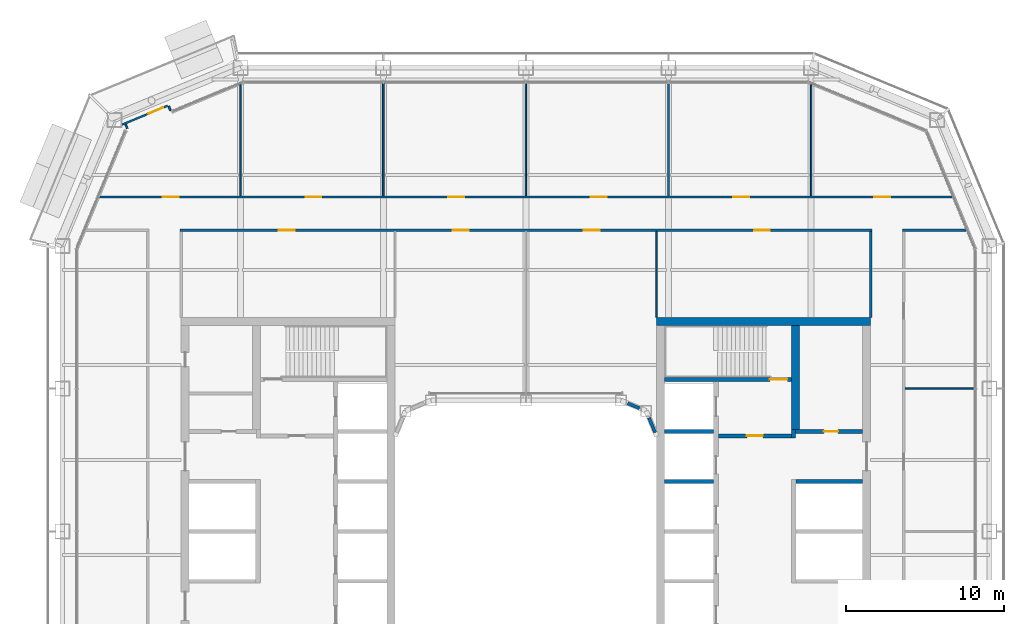
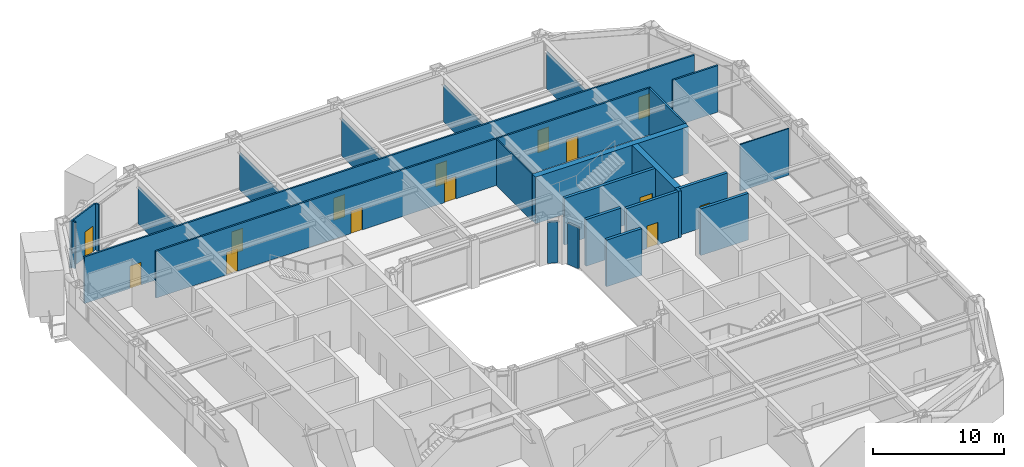
# One storey, part 14 of 23: 25 walls, 14 doors, 14 openings.
"""IFC4 building model written with IfcOpenShell, lengths in metres."""

from ifc_helpers import new_model, si_unit, direction, frame, frame_2d, origin, place, context, subcontext, project, spatial, rectangle, extrude, material, layer, layer_set, type_object, element, fill, save


model = new_model("IFC4")

# Units and contexts
model_context = context("Model", 3, precision=1e-05, world=origin(), true_north=direction((0.0, 1.0)))
body_context = subcontext(model_context, "Body", "Model", "MODEL_VIEW")
ifc_project = project(units=[si_unit("LENGTHUNIT", "METRE"), si_unit("AREAUNIT", "SQUARE_METRE"), si_unit("VOLUMEUNIT", "CUBIC_METRE"), si_unit("PLANEANGLEUNIT", "RADIAN"), si_unit("MASSUNIT", "GRAM", prefix="KILO")], contexts=[model_context])

# Site, building, storey
site_placement = place(None, origin())
site = spatial("IfcSite", under=ifc_project, at=site_placement, CompositionType="ELEMENT")
building_placement = place(site_placement, origin())
building = spatial("IfcBuilding", under=site, at=building_placement, Name="Siwar Civic Tower", CompositionType="ELEMENT")
storey_placement = place(building_placement, frame((0.0, 0.0, 136.199951171875)))
storey = spatial("IfcBuildingStorey", under=building, at=storey_placement, Name="L29", CompositionType="ELEMENT", Elevation=136.199951171875)

# Wall, opening, door
ifc_material_1 = material(Name="Concrete C60/75", Category="concrete")
ifc_layer_1 = layer(ifc_material_1, 0.25)
ifc_layer_set_1 = layer_set([ifc_layer_1], Name="Concrete C60/75")
wall_type_1 = type_object("IfcWallType", Name="CORE-WALL-RC250", PredefinedType="SHEAR", material=ifc_layer_set_1)
wall_1_placement = place(storey_placement, frame((12.14990234375, 6.02490234375, 0.0), z_axis=(0.0, 0.0, 1.0), x_axis=(1.0, 0.0, 0.0)))
wall_1 = element("IfcWall", 1, at=wall_1_placement, inside=storey, type_object=wall_type_1, Name="Core wall E", PredefinedType="SHEAR", context=body_context, shape_type="SweptSolid", body=[
    extrude(rectangle(XDim=4.60009765625, YDim=0.25, at=frame_2d((2.300048828125, 0.0))), origin(), (0.0, 0.0, 1.0), 4.35009765625),
])
opening_1_placement = place(wall_1_placement, frame((1.800048828125, 0.0, 0.0)))
opening_1 = element("IfcOpeningElement", 2, at=opening_1_placement, cuts=wall_1, Name="Opening L29-CE01", PredefinedType="OPENING", context=body_context, shape_type="SweptSolid", body=[
    extrude(rectangle(XDim=1.0, YDim=2.10009765625, at=frame_2d((0.5, 1.050048828125))), frame((0.0, 0.135009765625, 0.0), z_axis=(0.0, -1.0, 0.0), x_axis=(1.0, 0.0, 0.0)), (0.0, 0.0, 1.0), 0.27001953125),
])
ifc_material_2 = material(Name="Steel door leaf", Category="steel")
door_type_1 = type_object("IfcDoorType", Name="CORE-DOOR-FD30S", OperationType="SINGLE_SWING_LEFT", PredefinedType="DOOR", material=ifc_material_2)
door_1_placement = place(opening_1_placement, origin())
door_1 = element("IfcDoor", 3, at=door_1_placement, inside=storey, type_object=door_type_1, Name="Firefighting lobby door L29-CE01", OperationType="SINGLE_SWING_RIGHT", OverallHeight=2.10009765625, OverallWidth=1.0, PredefinedType="DOOR", context=body_context, shape_type="SweptSolid", body=[
    extrude(rectangle(XDim=1.0, YDim=2.10009765625, at=frame_2d((0.5, 1.050048828125))), frame((0.0, 0.02490234375, 0.0), z_axis=(0.0, -1.0, 0.0), x_axis=(1.0, 0.0, 0.0)), (0.0, 0.0, 1.0), 0.050048828125),
])
fill(opening_1, door_1)

# Wall
wall_2_placement = place(storey_placement, frame((16.875, 5.89990234375, 0.0), z_axis=(0.0, 0.0, 1.0), x_axis=(0.0, 1.0, 0.0)))
element("IfcWall", 4, at=wall_2_placement, inside=storey, type_object=wall_type_1, Name="Core wall E", PredefinedType="SHEAR", context=body_context, shape_type="SweptSolid", body=[
    extrude(rectangle(XDim=0.525146484375, YDim=0.25, at=frame_2d((0.2626953125, 0.0))), origin(), (0.0, 0.0, 1.0), 4.35009765625),
])

# Wall, opening, door
wall_3_placement = place(storey_placement, frame((17.0, 6.300048828125, 0.0), z_axis=(0.0, 0.0, 1.0), x_axis=(1.0, 0.0, 0.0)))
wall_3 = element("IfcWall", 5, at=wall_3_placement, inside=storey, type_object=wall_type_1, Name="Core wall E", PredefinedType="SHEAR", context=body_context, shape_type="SweptSolid", body=[
    extrude(rectangle(XDim=4.25, YDim=0.25, at=frame_2d((2.125, 0.0))), origin(), (0.0, 0.0, 1.0), 4.35009765625),
])
opening_2_placement = place(wall_3_placement, frame((1.800048828125, 0.0, 0.0)))
opening_2 = element("IfcOpeningElement", 6, at=opening_2_placement, cuts=wall_3, Name="Opening L29-CE13", PredefinedType="OPENING", context=body_context, shape_type="SweptSolid", body=[
    extrude(rectangle(XDim=0.89990234375, YDim=2.10009765625, at=frame_2d((0.449951171875, 1.050048828125))), frame((0.0, 0.135009765625, 0.0), z_axis=(0.0, -1.0, 0.0), x_axis=(1.0, 0.0, 0.0)), (0.0, 0.0, 1.0), 0.27001953125),
])
ifc_material_3 = material(Name="Steel door leaf", Category="steel")
door_type_2 = type_object("IfcDoorType", Name="CORE-DOOR-ROOM", OperationType="SINGLE_SWING_LEFT", PredefinedType="DOOR", material=ifc_material_3)
door_2_placement = place(opening_2_placement, origin())
door_2 = element("IfcDoor", 7, at=door_2_placement, inside=storey, type_object=door_type_2, Name="Core room door L29-CE13", OperationType="SINGLE_SWING_RIGHT", OverallHeight=2.10009765625, OverallWidth=0.89990234375, PredefinedType="DOOR", context=body_context, shape_type="SweptSolid", body=[
    extrude(rectangle(XDim=0.89990234375, YDim=2.10009765625, at=frame_2d((0.449951171875, 1.050048828125))), frame((0.0, 0.02490234375, 0.0), z_axis=(0.0, -1.0, 0.0), x_axis=(1.0, 0.0, 0.0)), (0.0, 0.0, 1.0), 0.050048828125),
])
fill(opening_2, door_2)

# Walls
wall_4_placement = place(storey_placement, frame((17.050048828125, 3.14990234375, 0.0), z_axis=(0.0, 0.0, 1.0), x_axis=(1.0, 0.0, 0.0)))
element("IfcWall", 8, at=wall_4_placement, inside=storey, type_object=wall_type_1, Name="Core wall E", PredefinedType="SHEAR", context=body_context, shape_type="SweptSolid", body=[
    extrude(rectangle(XDim=4.199951171875, YDim=0.25, at=frame_2d((2.10009765625, 0.0))), origin(), (0.0, 0.0, 1.0), 4.35009765625),
])
for number, where, z_axis, x_axis, name in (
    (9, (8.75, 3.14990234375, 0.0), (0.0, 0.0, 1.0), (1.0, 0.0, 0.0), "Core wall E"),
    (10, (8.75, 6.300048828125, 0.0), (0.0, 0.0, 1.0), (1.0, 0.0, 0.0), "Core wall E"),
):
    element("IfcWall", number, at=place(storey_placement, frame(where, z_axis=z_axis, x_axis=x_axis)), inside=storey, type_object=wall_type_1, Name=name, PredefinedType="SHEAR", context=body_context, shape_type="SweptSolid", body=[
        extrude(rectangle(XDim=3.10009765625, YDim=0.25, at=frame_2d((1.550048828125, 0.0))), origin(), (0.0, 0.0, 1.0), 4.35009765625),
    ])

# Wall, opening, door
wall_5_placement = place(storey_placement, frame((8.75, 9.574951171875, 0.0), z_axis=(0.0, 0.0, 1.0), x_axis=(1.0, 0.0, 0.0)))
wall_5 = element("IfcWall", 11, at=wall_5_placement, inside=storey, type_object=wall_type_1, Name="Core wall E", PredefinedType="SHEAR", context=body_context, shape_type="SweptSolid", body=[
    extrude(rectangle(XDim=8.0, YDim=0.25, at=frame_2d((4.0, 0.0))), origin(), (0.0, 0.0, 1.0), 4.35009765625),
])
opening_3_placement = place(wall_5_placement, frame((6.64990234375, 0.0, 0.0)))
opening_3 = element("IfcOpeningElement", 12, at=opening_3_placement, cuts=wall_5, Name="Opening L29-CE03", PredefinedType="OPENING", context=body_context, shape_type="SweptSolid", body=[
    extrude(rectangle(XDim=1.10009765625, YDim=2.10009765625, at=frame_2d((0.550048828125, 1.050048828125))), frame((0.0, 0.135009765625, 0.0), z_axis=(0.0, -1.0, 0.0), x_axis=(1.0, 0.0, 0.0)), (0.0, 0.0, 1.0), 0.27001953125),
])
ifc_material_4 = material(Name="Steel door leaf", Category="steel")
door_type_3 = type_object("IfcDoorType", Name="CORE-DOOR-FD60S", OperationType="SINGLE_SWING_LEFT", PredefinedType="DOOR", material=ifc_material_4)
door_3_placement = place(opening_3_placement, origin())
door_3 = element("IfcDoor", 13, at=door_3_placement, inside=storey, type_object=door_type_3, Name="Stair door L29-CE03", OperationType="SINGLE_SWING_LEFT", OverallHeight=2.10009765625, OverallWidth=1.10009765625, PredefinedType="DOOR", context=body_context, shape_type="SweptSolid", body=[
    extrude(rectangle(XDim=1.10009765625, YDim=2.10009765625, at=frame_2d((0.550048828125, 1.050048828125))), frame((0.0, 0.02490234375, 0.0), z_axis=(0.0, -1.0, 0.0), x_axis=(1.0, 0.0, 0.0)), (0.0, 0.0, 1.0), 0.050048828125),
])
fill(opening_3, door_3)

# Walls
ifc_material_5 = material(Name="Concrete C60/75", Category="concrete")
ifc_layer_2 = layer(ifc_material_5, 0.5)
ifc_layer_set_2 = layer_set([ifc_layer_2], Name="Concrete C60/75")
wall_type_2 = type_object("IfcWallType", Name="CORE-WALL-RC500", PredefinedType="SHEAR", material=ifc_layer_set_2)
wall_6_placement = place(storey_placement, frame((17.0, 6.425048828125, 0.0), z_axis=(0.0, 0.0, 1.0), x_axis=(0.0, 1.0, 0.0)))
element("IfcWall", 14, at=wall_6_placement, inside=storey, type_object=wall_type_2, Name="Core wall E", PredefinedType="SHEAR", context=body_context, shape_type="SweptSolid", body=[
    extrude(rectangle(XDim=6.574951171875, YDim=0.5, at=frame_2d((3.28759765625, 0.0))), origin(), (0.0, 0.0, 1.0), 4.35009765625),
])
wall_7_placement = place(storey_placement, frame((8.25, 13.25, 0.0), z_axis=(0.0, 0.0, 1.0), x_axis=(1.0, 0.0, 0.0)))
element("IfcWall", 15, at=wall_7_placement, inside=storey, type_object=wall_type_2, Name="Core wall E", PredefinedType="SHEAR", context=body_context, shape_type="SweptSolid", body=[
    extrude(rectangle(XDim=13.5, YDim=0.5, at=frame_2d((6.75, 0.0))), origin(), (0.0, 0.0, 1.0), 4.35009765625),
])

# Wall, openings, doors
ifc_material_6 = material(Name="Gypsum board on steel studs", Category="steel")
ifc_layer_3 = layer(ifc_material_6, 0.14990234375)
ifc_layer_set_3 = layer_set([ifc_layer_3], Name="Gypsum board on steel studs")
wall_type_3 = type_object("IfcWallType", Name="CORRIDOR PARTITION 150 EI 30", PredefinedType="PARTITIONING", material=ifc_layer_set_3)
wall_8_placement = place(storey_placement, frame((-21.824951171875, 19.0, 0.0), z_axis=(0.0, 0.0, 1.0), x_axis=(1.0, 0.0, 0.0)))
wall_8 = element("IfcWall", 16, at=wall_8_placement, inside=storey, type_object=wall_type_3, Name="L29/wall/P11", PredefinedType="PARTITIONING", context=body_context, shape_type="SweptSolid", body=[
    extrude(rectangle(XDim=43.64990234375, YDim=0.14990234375, at=frame_2d((21.824951171875, 0.0))), origin(), (0.0, 0.0, 1.0), 4.35009765625),
])
opening_4_placement = place(wall_8_placement, frame((17.22509765625, 0.0, 0.0)))
opening_4 = element("IfcOpeningElement", 17, at=opening_4_placement, cuts=wall_8, Name="Opening D1", PredefinedType="OPENING", context=body_context, shape_type="SweptSolid", body=[
    extrude(rectangle(XDim=1.0, YDim=2.10009765625, at=frame_2d((0.5, 1.050048828125))), frame((0.0, 0.0849609375, 0.0), z_axis=(0.0, -1.0, 0.0), x_axis=(1.0, 0.0, 0.0)), (0.0, 0.0, 1.0), 0.169921875),
])
opening_5_placement = place(wall_8_placement, frame((25.47509765625, 0.0, 0.0)))
opening_5 = element("IfcOpeningElement", 18, at=opening_5_placement, cuts=wall_8, Name="Opening D1", PredefinedType="OPENING", context=body_context, shape_type="SweptSolid", body=[
    extrude(rectangle(XDim=1.0, YDim=2.10009765625, at=frame_2d((0.5, 1.050048828125))), frame((0.0, 0.0849609375, 0.0), z_axis=(0.0, -1.0, 0.0), x_axis=(1.0, 0.0, 0.0)), (0.0, 0.0, 1.0), 0.169921875),
])
opening_6_placement = place(wall_8_placement, frame((6.22509765625, 0.0, 0.0)))
opening_6 = element("IfcOpeningElement", 19, at=opening_6_placement, cuts=wall_8, Name="Opening D1", PredefinedType="OPENING", context=body_context, shape_type="SweptSolid", body=[
    extrude(rectangle(XDim=1.0, YDim=2.10009765625, at=frame_2d((0.5, 1.050048828125))), frame((0.0, 0.0849609375, 0.0), z_axis=(0.0, -1.0, 0.0), x_axis=(1.0, 0.0, 0.0)), (0.0, 0.0, 1.0), 0.169921875),
])
opening_7_placement = place(wall_8_placement, frame((36.22509765625, 0.0, 0.0)))
opening_7 = element("IfcOpeningElement", 20, at=opening_7_placement, cuts=wall_8, Name="Opening D1", PredefinedType="OPENING", context=body_context, shape_type="SweptSolid", body=[
    extrude(rectangle(XDim=1.0, YDim=2.10009765625, at=frame_2d((0.5, 1.050048828125))), frame((0.0, 0.0849609375, 0.0), z_axis=(0.0, -1.0, 0.0), x_axis=(1.0, 0.0, 0.0)), (0.0, 0.0, 1.0), 0.169921875),
])
ifc_material_7 = material(Name="Timber, painted", Category="wood")
door_type_4 = type_object("IfcDoorType", Name="DOOR 1000 X 2100 FD30", OperationType="SINGLE_SWING_LEFT", PredefinedType="DOOR", material=ifc_material_7)
door_4_placement = place(opening_4_placement, origin())
door_4 = element("IfcDoor", 21, at=door_4_placement, inside=storey, type_object=door_type_4, Name="L29-D13", OperationType="SINGLE_SWING_LEFT", OverallHeight=2.10009765625, OverallWidth=1.0, PredefinedType="DOOR", context=body_context, shape_type="SweptSolid", body=[
    extrude(rectangle(XDim=1.0, YDim=2.10009765625, at=frame_2d((0.5, 1.050048828125))), frame((0.0, 0.02490234375, 0.0), z_axis=(0.0, -1.0, 0.0), x_axis=(1.0, 0.0, 0.0)), (0.0, 0.0, 1.0), 0.050048828125),
])
fill(opening_4, door_4)
door_5_placement = place(opening_5_placement, origin())
door_5 = element("IfcDoor", 22, at=door_5_placement, inside=storey, type_object=door_type_4, Name="L29-D14", OperationType="SINGLE_SWING_RIGHT", OverallHeight=2.10009765625, OverallWidth=1.0, PredefinedType="DOOR", context=body_context, shape_type="SweptSolid", body=[
    extrude(rectangle(XDim=1.0, YDim=2.10009765625, at=frame_2d((0.5, 1.050048828125))), frame((0.0, 0.02490234375, 0.0), z_axis=(0.0, -1.0, 0.0), x_axis=(1.0, 0.0, 0.0)), (0.0, 0.0, 1.0), 0.050048828125),
])
fill(opening_5, door_5)
door_6_placement = place(opening_6_placement, origin())
door_6 = element("IfcDoor", 23, at=door_6_placement, inside=storey, type_object=door_type_4, Name="L29-D20", OperationType="SINGLE_SWING_RIGHT", OverallHeight=2.10009765625, OverallWidth=1.0, PredefinedType="DOOR", context=body_context, shape_type="SweptSolid", body=[
    extrude(rectangle(XDim=1.0, YDim=2.10009765625, at=frame_2d((0.5, 1.050048828125))), frame((0.0, 0.02490234375, 0.0), z_axis=(0.0, -1.0, 0.0), x_axis=(1.0, 0.0, 0.0)), (0.0, 0.0, 1.0), 0.050048828125),
])
fill(opening_6, door_6)
door_7_placement = place(opening_7_placement, origin())
door_7 = element("IfcDoor", 24, at=door_7_placement, inside=storey, type_object=door_type_4, Name="L29-D21", OperationType="SINGLE_SWING_LEFT", OverallHeight=2.10009765625, OverallWidth=1.0, PredefinedType="DOOR", context=body_context, shape_type="SweptSolid", body=[
    extrude(rectangle(XDim=1.0, YDim=2.10009765625, at=frame_2d((0.5, 1.050048828125))), frame((0.0, 0.02490234375, 0.0), z_axis=(0.0, -1.0, 0.0), x_axis=(1.0, 0.0, 0.0)), (0.0, 0.0, 1.0), 0.050048828125),
])
fill(opening_7, door_7)

# Wall
wall_9_placement = place(storey_placement, frame((23.77490234375, 19.0, 0.0), z_axis=(0.0, 0.0, 1.0), x_axis=(1.0, 0.0, 0.0)))
element("IfcWall", 25, at=wall_9_placement, inside=storey, type_object=wall_type_3, Name="L29/wall/P12", PredefinedType="PARTITIONING", context=body_context, shape_type="SweptSolid", body=[
    extrude(rectangle(XDim=3.989013671875, YDim=0.14990234375, at=frame_2d((1.99462890625, 0.0))), origin(), (0.0, 0.0, 1.0), 4.35009765625),
])

# Wall, openings, doors
wall_10_placement = place(storey_placement, frame((-26.89404296875, 21.10009765625, 0.0), z_axis=(0.0, 0.0, 1.0), x_axis=(1.0, 0.0, 0.0)))
wall_10 = element("IfcWall", 26, at=wall_10_placement, inside=storey, type_object=wall_type_3, Name="L29/wall/P13", PredefinedType="PARTITIONING", context=body_context, shape_type="SweptSolid", body=[
    extrude(rectangle(XDim=53.7880859375, YDim=0.14990234375, at=frame_2d((26.89404296875, 0.0))), origin(), (0.0, 0.0, 1.0), 4.35009765625),
])
opening_8_placement = place(wall_10_placement, frame((12.993896484375, 0.0, 0.0)))
opening_8 = element("IfcOpeningElement", 27, at=opening_8_placement, cuts=wall_10, Name="Opening D1", PredefinedType="OPENING", context=body_context, shape_type="SweptSolid", body=[
    extrude(rectangle(XDim=1.0, YDim=2.10009765625, at=frame_2d((0.5, 1.050048828125))), frame((0.0, 0.0849609375, 0.0), z_axis=(0.0, -1.0, 0.0), x_axis=(1.0, 0.0, 0.0)), (0.0, 0.0, 1.0), 0.169921875),
])
opening_9_placement = place(wall_10_placement, frame((21.993896484375, 0.0, 0.0)))
opening_9 = element("IfcOpeningElement", 28, at=opening_9_placement, cuts=wall_10, Name="Opening D1", PredefinedType="OPENING", context=body_context, shape_type="SweptSolid", body=[
    extrude(rectangle(XDim=1.0, YDim=2.10009765625, at=frame_2d((0.5, 1.050048828125))), frame((0.0, 0.0849609375, 0.0), z_axis=(0.0, -1.0, 0.0), x_axis=(1.0, 0.0, 0.0)), (0.0, 0.0, 1.0), 0.169921875),
])
opening_10_placement = place(wall_10_placement, frame((30.993896484375, 0.0, 0.0)))
opening_10 = element("IfcOpeningElement", 29, at=opening_10_placement, cuts=wall_10, Name="Opening D1", PredefinedType="OPENING", context=body_context, shape_type="SweptSolid", body=[
    extrude(rectangle(XDim=1.0, YDim=2.10009765625, at=frame_2d((0.5, 1.050048828125))), frame((0.0, 0.0849609375, 0.0), z_axis=(0.0, -1.0, 0.0), x_axis=(1.0, 0.0, 0.0)), (0.0, 0.0, 1.0), 0.169921875),
])
opening_11_placement = place(wall_10_placement, frame((39.993896484375, 0.0, 0.0)))
opening_11 = element("IfcOpeningElement", 30, at=opening_11_placement, cuts=wall_10, Name="Opening D1", PredefinedType="OPENING", context=body_context, shape_type="SweptSolid", body=[
    extrude(rectangle(XDim=1.0, YDim=2.10009765625, at=frame_2d((0.5, 1.050048828125))), frame((0.0, 0.0849609375, 0.0), z_axis=(0.0, -1.0, 0.0), x_axis=(1.0, 0.0, 0.0)), (0.0, 0.0, 1.0), 0.169921875),
])
opening_12_placement = place(wall_10_placement, frame((3.993896484375, 0.0, 0.0)))
opening_12 = element("IfcOpeningElement", 31, at=opening_12_placement, cuts=wall_10, Name="Opening D1", PredefinedType="OPENING", context=body_context, shape_type="SweptSolid", body=[
    extrude(rectangle(XDim=1.0, YDim=2.10009765625, at=frame_2d((0.5, 1.050048828125))), frame((0.0, 0.0849609375, 0.0), z_axis=(0.0, -1.0, 0.0), x_axis=(1.0, 0.0, 0.0)), (0.0, 0.0, 1.0), 0.169921875),
])
opening_13_placement = place(wall_10_placement, frame((48.887939453125, 0.0, 0.0)))
opening_13 = element("IfcOpeningElement", 32, at=opening_13_placement, cuts=wall_10, Name="Opening D1", PredefinedType="OPENING", context=body_context, shape_type="SweptSolid", body=[
    extrude(rectangle(XDim=1.0, YDim=2.10009765625, at=frame_2d((0.5, 1.050048828125))), frame((0.0, 0.0849609375, 0.0), z_axis=(0.0, -1.0, 0.0), x_axis=(1.0, 0.0, 0.0)), (0.0, 0.0, 1.0), 0.169921875),
])
door_8_placement = place(opening_8_placement, origin())
door_8 = element("IfcDoor", 33, at=door_8_placement, inside=storey, type_object=door_type_4, Name="L29-D01", OperationType="SINGLE_SWING_LEFT", OverallHeight=2.10009765625, OverallWidth=1.0, PredefinedType="DOOR", context=body_context, shape_type="SweptSolid", body=[
    extrude(rectangle(XDim=1.0, YDim=2.10009765625, at=frame_2d((0.5, 1.050048828125))), frame((0.0, 0.02490234375, 0.0), z_axis=(0.0, -1.0, 0.0), x_axis=(1.0, 0.0, 0.0)), (0.0, 0.0, 1.0), 0.050048828125),
])
fill(opening_8, door_8)
door_9_placement = place(opening_9_placement, origin())
door_9 = element("IfcDoor", 34, at=door_9_placement, inside=storey, type_object=door_type_4, Name="L29-D02", OperationType="SINGLE_SWING_RIGHT", OverallHeight=2.10009765625, OverallWidth=1.0, PredefinedType="DOOR", context=body_context, shape_type="SweptSolid", body=[
    extrude(rectangle(XDim=1.0, YDim=2.10009765625, at=frame_2d((0.5, 1.050048828125))), frame((0.0, 0.02490234375, 0.0), z_axis=(0.0, -1.0, 0.0), x_axis=(1.0, 0.0, 0.0)), (0.0, 0.0, 1.0), 0.050048828125),
])
fill(opening_9, door_9)
door_10_placement = place(opening_10_placement, origin())
door_10 = element("IfcDoor", 35, at=door_10_placement, inside=storey, type_object=door_type_4, Name="L29-D03", OperationType="SINGLE_SWING_LEFT", OverallHeight=2.10009765625, OverallWidth=1.0, PredefinedType="DOOR", context=body_context, shape_type="SweptSolid", body=[
    extrude(rectangle(XDim=1.0, YDim=2.10009765625, at=frame_2d((0.5, 1.050048828125))), frame((0.0, 0.02490234375, 0.0), z_axis=(0.0, -1.0, 0.0), x_axis=(1.0, 0.0, 0.0)), (0.0, 0.0, 1.0), 0.050048828125),
])
fill(opening_10, door_10)
door_11_placement = place(opening_11_placement, origin())
door_11 = element("IfcDoor", 36, at=door_11_placement, inside=storey, type_object=door_type_4, Name="L29-D04", OperationType="SINGLE_SWING_RIGHT", OverallHeight=2.10009765625, OverallWidth=1.0, PredefinedType="DOOR", context=body_context, shape_type="SweptSolid", body=[
    extrude(rectangle(XDim=1.0, YDim=2.10009765625, at=frame_2d((0.5, 1.050048828125))), frame((0.0, 0.02490234375, 0.0), z_axis=(0.0, -1.0, 0.0), x_axis=(1.0, 0.0, 0.0)), (0.0, 0.0, 1.0), 0.050048828125),
])
fill(opening_11, door_11)
door_12_placement = place(opening_12_placement, origin())
door_12 = element("IfcDoor", 37, at=door_12_placement, inside=storey, type_object=door_type_4, Name="L29-D09", OperationType="SINGLE_SWING_LEFT", OverallHeight=2.10009765625, OverallWidth=1.0, PredefinedType="DOOR", context=body_context, shape_type="SweptSolid", body=[
    extrude(rectangle(XDim=1.0, YDim=2.10009765625, at=frame_2d((0.5, 1.050048828125))), frame((0.0, 0.02490234375, 0.0), z_axis=(0.0, -1.0, 0.0), x_axis=(1.0, 0.0, 0.0)), (0.0, 0.0, 1.0), 0.050048828125),
])
fill(opening_12, door_12)
door_13_placement = place(opening_13_placement, origin())
door_13 = element("IfcDoor", 38, at=door_13_placement, inside=storey, type_object=door_type_4, Name="L29-D10", OperationType="SINGLE_SWING_RIGHT", OverallHeight=2.10009765625, OverallWidth=1.0, PredefinedType="DOOR", context=body_context, shape_type="SweptSolid", body=[
    extrude(rectangle(XDim=1.0, YDim=2.10009765625, at=frame_2d((0.5, 1.050048828125))), frame((0.0, 0.02490234375, 0.0), z_axis=(0.0, -1.0, 0.0), x_axis=(1.0, 0.0, 0.0)), (0.0, 0.0, 1.0), 0.050048828125),
])
fill(opening_13, door_13)

# Walls
wall_11_placement = place(storey_placement, frame((21.75, 13.5, 0.0), z_axis=(0.0, 0.0, 1.0), x_axis=(0.0, 1.0, 0.0)))
element("IfcWall", 39, at=wall_11_placement, inside=storey, type_object=wall_type_3, Name="L29/wall/P37", PredefinedType="PARTITIONING", context=body_context, shape_type="SweptSolid", body=[
    extrude(rectangle(XDim=5.425048828125, YDim=0.14990234375, at=frame_2d((2.71240234375, 0.0))), origin(), (0.0, 0.0, 1.0), 4.35009765625),
])
ifc_material_8 = material(Name="Aluminium clad insulated panel", Category="aluminium")
ifc_layer_4 = layer(ifc_material_8, 0.1201171875)
ifc_layer_set_4 = layer_set([ifc_layer_4], Name="Aluminium clad insulated panel")
wall_type_4 = type_object("IfcWallType", Name="ENV-WALL-BAL", PredefinedType="STANDARD", material=ifc_layer_set_4)
for number, where, z_axis, x_axis, name in (
    (40, (-22.42529296875, 26.551025390625, 0.0), (0.0, 0.0, 1.0), (-0.382103986862, 0.924119333865, 0.0), "Balcony door wall return NW1"),
    (41, (-25.153076171875, 25.421142578125, 0.0), (0.0, 0.0, 1.0), (-0.383120166156, 0.923698510492, 0.0), "Balcony door wall return NW1"),
):
    element("IfcWall", number, at=place(storey_placement, frame(where, z_axis=z_axis, x_axis=x_axis)), inside=storey, type_object=wall_type_4, Name=name, PredefinedType="STANDARD", context=body_context, shape_type="SweptSolid", body=[
        extrude(rectangle(XDim=0.2900390625, YDim=0.1201171875, at=frame_2d((0.14501953125, 0.0))), origin(), (0.0, 0.0, 1.0), 4.35009765625),
    ])

# Wall, opening, door
wall_12_placement = place(storey_placement, frame((-22.614501953125, 26.8515625, 0.0), z_axis=(0.0, 0.0, 1.0), x_axis=(-0.923869084389, -0.382708655389, 0.0)))
wall_12 = element("IfcWall", 42, at=wall_12_placement, inside=storey, type_object=wall_type_4, Name="Balcony door wall NW1", PredefinedType="STANDARD", context=body_context, shape_type="SweptSolid", body=[
    extrude(rectangle(XDim=3.1015625, YDim=0.1201171875, at=frame_2d((1.55078125, 0.0))), origin(), (0.0, 0.0, 1.0), 4.35009765625),
])
opening_14_placement = place(wall_12_placement, frame((0.300048828125, 0.0, 0.0)))
opening_14 = element("IfcOpeningElement", 43, at=opening_14_placement, cuts=wall_12, Name="Opening D-BAL", PredefinedType="OPENING", context=body_context, shape_type="SweptSolid", body=[
    extrude(rectangle(XDim=1.0, YDim=2.39990234375, at=frame_2d((0.5, 1.199951171875))), frame((0.0, 0.070068359375, 0.0), z_axis=(0.0, -1.0, 0.0), x_axis=(1.0, 0.0, 0.0)), (0.0, 0.0, 1.0), 0.14013671875),
])
ifc_material_9 = material(Name="Aluminium and glass", Category="aluminium")
door_type_5 = type_object("IfcDoorType", Name="ENV-DOOR-BAL", OperationType="SINGLE_SWING_LEFT", PredefinedType="DOOR", material=ifc_material_9)
door_14_placement = place(opening_14_placement, origin())
door_14 = element("IfcDoor", 44, at=door_14_placement, inside=storey, type_object=door_type_5, Name="Balcony door NW", OperationType="SINGLE_SWING_LEFT", OverallHeight=2.39990234375, OverallWidth=1.0, PredefinedType="DOOR", context=body_context, shape_type="SweptSolid", body=[
    extrude(rectangle(XDim=1.0, YDim=2.39990234375, at=frame_2d((0.5, 1.199951171875))), frame((0.0, 0.02490234375, 0.0), z_axis=(0.0, -1.0, 0.0), x_axis=(1.0, 0.0, 0.0)), (0.0, 0.0, 1.0), 0.050048828125),
])
fill(opening_14, door_14)

# Walls
ifc_material_10 = material(Name="Aluminium clad insulated panel", Category="aluminium")
ifc_layer_5 = layer(ifc_material_10, 0.199951171875)
ifc_layer_set_5 = layer_set([ifc_layer_5], Name="Aluminium clad insulated panel")
wall_type_5 = type_object("IfcWallType", Name="ENV-WALL-WELL", PredefinedType="STANDARD", material=ifc_layer_set_5)
wall_13_placement = place(storey_placement, frame((8.154296875, 6.23095703125, 0.0), z_axis=(0.0, 0.0, 1.0), x_axis=(-0.382769662028, 0.923843810301, 0.0)))
element("IfcWall", 45, at=wall_13_placement, inside=storey, type_object=wall_type_5, Name="Light well corner wall NE1", PredefinedType="STANDARD", context=body_context, shape_type="SweptSolid", body=[
    extrude(rectangle(XDim=1.014892578125, YDim=0.199951171875, at=frame_2d((0.50732421875, 0.0))), origin(), (0.0, 0.0, 1.0), 3.825927734375),
])
wall_14_placement = place(storey_placement, frame((7.16845703125, 7.765869140625, 0.0), z_axis=(0.0, 0.0, 1.0), x_axis=(-0.923817771127, 0.382832503518, 0.0)))
element("IfcWall", 46, at=wall_14_placement, inside=storey, type_object=wall_type_5, Name="Light well corner wall NE2", PredefinedType="STANDARD", context=body_context, shape_type="SweptSolid", body=[
    extrude(rectangle(XDim=0.807373046875, YDim=0.199951171875, at=frame_2d((0.40380859375, 0.0))), origin(), (0.0, 0.0, 1.0), 3.825927734375),
])
ifc_material_11 = material(Name="Gypsum board on steel studs", Category="steel")
ifc_layer_6 = layer(ifc_material_11, 0.10009765625)
ifc_layer_set_6 = layer_set([ifc_layer_6], Name="Gypsum board on steel studs")
wall_type_6 = type_object("IfcWallType", Name="PARTITION 100 GYPSUM", PredefinedType="PARTITIONING", material=ifc_layer_set_6)
wall_15_placement = place(storey_placement, frame((23.925048828125, 9.0, 0.0), z_axis=(0.0, 0.0, 1.0), x_axis=(1.0, 0.0, 0.0)))
element("IfcWall", 47, at=wall_15_placement, inside=storey, type_object=wall_type_6, Name="L29/wall/P09", PredefinedType="PARTITIONING", context=body_context, shape_type="SweptSolid", body=[
    extrude(rectangle(XDim=4.3349609375, YDim=0.10009765625, at=frame_2d((2.16748046875, 0.0))), origin(), (0.0, 0.0, 1.0), 4.35009765625),
])
wall_16_placement = place(storey_placement, frame((-18.0, 21.175048828125, 0.0), z_axis=(0.0, 0.0, 1.0), x_axis=(0.0, 1.0, 0.0)))
element("IfcWall", 48, at=wall_16_placement, inside=storey, type_object=wall_type_6, Name="L29/wall/P18", PredefinedType="PARTITIONING", context=body_context, shape_type="SweptSolid", body=[
    extrude(rectangle(XDim=7.0029296875, YDim=0.10009765625, at=frame_2d((3.50146484375, 0.0))), origin(), (0.0, 0.0, 1.0), 3.449951171875),
])
for number, where, z_axis, x_axis, name in (
    (49, (-9.0, 21.175048828125, 0.0), (0.0, 0.0, 1.0), (0.0, 1.0, 0.0), "L29/wall/P20"),
    (50, (0.0, 21.175048828125, 0.0), (0.0, 0.0, 1.0), (0.0, 1.0, 0.0), "L29/wall/P26"),
):
    element("IfcWall", number, at=place(storey_placement, frame(where, z_axis=z_axis, x_axis=x_axis)), inside=storey, type_object=wall_type_6, Name=name, PredefinedType="PARTITIONING", context=body_context, shape_type="SweptSolid", body=[
        extrude(rectangle(XDim=7.0849609375, YDim=0.10009765625, at=frame_2d((3.54248046875, 0.0))), origin(), (0.0, 0.0, 1.0), 3.449951171875),
    ])
wall_17_placement = place(storey_placement, frame((8.25, 13.5, 0.0), z_axis=(0.0, 0.0, 1.0), x_axis=(0.0, 1.0, 0.0)))
element("IfcWall", 51, at=wall_17_placement, inside=storey, type_object=wall_type_6, Name="L29/wall/P29", PredefinedType="PARTITIONING", context=body_context, shape_type="SweptSolid", body=[
    extrude(rectangle(XDim=5.425048828125, YDim=0.10009765625, at=frame_2d((2.71240234375, 0.0))), origin(), (0.0, 0.0, 1.0), 4.35009765625),
])
wall_18_placement = place(storey_placement, frame((9.0, 21.175048828125, 0.0), z_axis=(0.0, 0.0, 1.0), x_axis=(0.0, 1.0, 0.0)))
element("IfcWall", 52, at=wall_18_placement, inside=storey, type_object=wall_type_6, Name="L29/wall/P33", PredefinedType="PARTITIONING", context=body_context, shape_type="SweptSolid", body=[
    extrude(rectangle(XDim=7.0849609375, YDim=0.10009765625, at=frame_2d((3.54248046875, 0.0))), origin(), (0.0, 0.0, 1.0), 3.449951171875),
])
wall_19_placement = place(storey_placement, frame((18.0, 21.175048828125, 0.0), z_axis=(0.0, 0.0, 1.0), x_axis=(0.0, 1.0, 0.0)))
element("IfcWall", 53, at=wall_19_placement, inside=storey, type_object=wall_type_6, Name="L29/wall/P35", PredefinedType="PARTITIONING", context=body_context, shape_type="SweptSolid", body=[
    extrude(rectangle(XDim=7.0029296875, YDim=0.10009765625, at=frame_2d((3.50146484375, 0.0))), origin(), (0.0, 0.0, 1.0), 3.449951171875),
])

save(model, "model.ifc")
